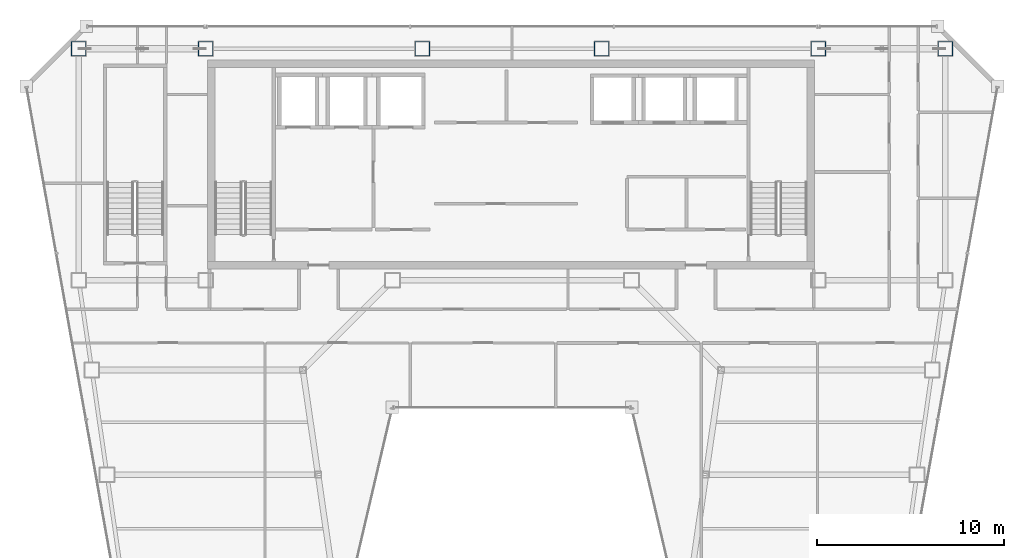
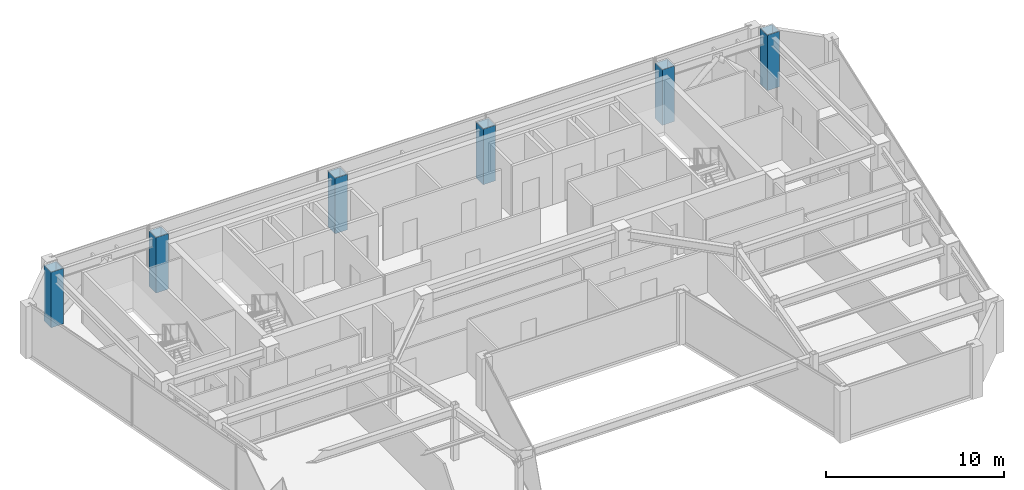
# One storey, part 2 of 32: 6 columns.
"""IFC4 building model written with IfcOpenShell, lengths in metres."""

from ifc_helpers import new_model, si_unit, direction, frame, origin, origin_2d, place, context, subcontext, project, spatial, hollow_rectangle, extrude, material, material_profile, profile_set, type_object, element, save


model = new_model("IFC4")

# Units and contexts
model_context = context("Model", 3, precision=1e-05, world=origin(), true_north=direction((0.0, 1.0)))
body_context = subcontext(model_context, "Body", "Model", "MODEL_VIEW")
ifc_project = project(units=[si_unit("LENGTHUNIT", "METRE"), si_unit("AREAUNIT", "SQUARE_METRE"), si_unit("VOLUMEUNIT", "CUBIC_METRE"), si_unit("PLANEANGLEUNIT", "RADIAN"), si_unit("MASSUNIT", "GRAM", prefix="KILO")], contexts=[model_context])

# Site, building, storey
site_placement = place(None, origin())
site = spatial("IfcSite", under=ifc_project, at=site_placement, CompositionType="ELEMENT")
building_placement = place(site_placement, origin())
building = spatial("IfcBuilding", under=site, at=building_placement, Name="Saevonmaru Cultural Tower", CompositionType="ELEMENT")
storey_placement = place(building_placement, frame((0.0, 0.0, 257.199951171875)))
storey = spatial("IfcBuildingStorey", under=building, at=storey_placement, Name="L60", CompositionType="ELEMENT", Elevation=257.199951171875)

# Columns
ifc_material = material(Name="Steel SM420", Category="steel")
ifc_material_profile = material_profile(ifc_material, hollow_rectangle(XDim=0.800048828125, YDim=0.800048828125, WallThickness=0.035888671875, at=origin_2d()), Name="BOX-800x800x36")
ifc_profile_set = profile_set([ifc_material_profile], Name="Steel SM420")
column_type = type_object("IfcColumnType", Name="COL-BOX-800", PredefinedType="COLUMN", material=ifc_profile_set)
for number, where, z_axis, x_axis, name in (
    (1, (6.800048828125, 54.800048828125, 0.0), (0.0, 0.0, 1.0), (1.0, 0.0, 0.0), "L60 Column TC-N1N"),
    (2, (13.60009765625, 54.800048828125, 0.0), (0.0, 0.0, 1.0), (1.0, 0.0, 0.0), "L60 Column TC-N2N"),
    (3, (25.199951171875, 54.800048828125, 0.0), (0.0, 0.0, 1.0), (1.0, 0.0, 0.0), "L60 Column TC-N3N"),
    (4, (34.800048828125, 54.800048828125, 0.0), (0.0, 0.0, 1.0), (1.0, 0.0, 0.0), "L60 Column TC-N4N"),
    (5, (46.39990234375, 54.800048828125, 0.0), (0.0, 0.0, 1.0), (1.0, 0.0, 0.0), "L60 Column TC-N5N"),
    (6, (53.199951171875, 54.800048828125, 0.0), (0.0, 0.0, 1.0), (1.0, 0.0, 0.0), "L60 Column TC-N6N"),
):
    element("IfcColumn", number, at=place(storey_placement, frame(where, z_axis=z_axis, x_axis=x_axis)), inside=storey, type_object=column_type, Name=name, PredefinedType="COLUMN", context=body_context, shape_type="SweptSolid", body=[
        extrude(hollow_rectangle(XDim=0.800048828125, YDim=0.800048828125, WallThickness=0.035888671875, at=origin_2d()), origin(), (0.0, 0.0, 1.0), 3.800048828125),
    ])

save(model, "model.ifc")
